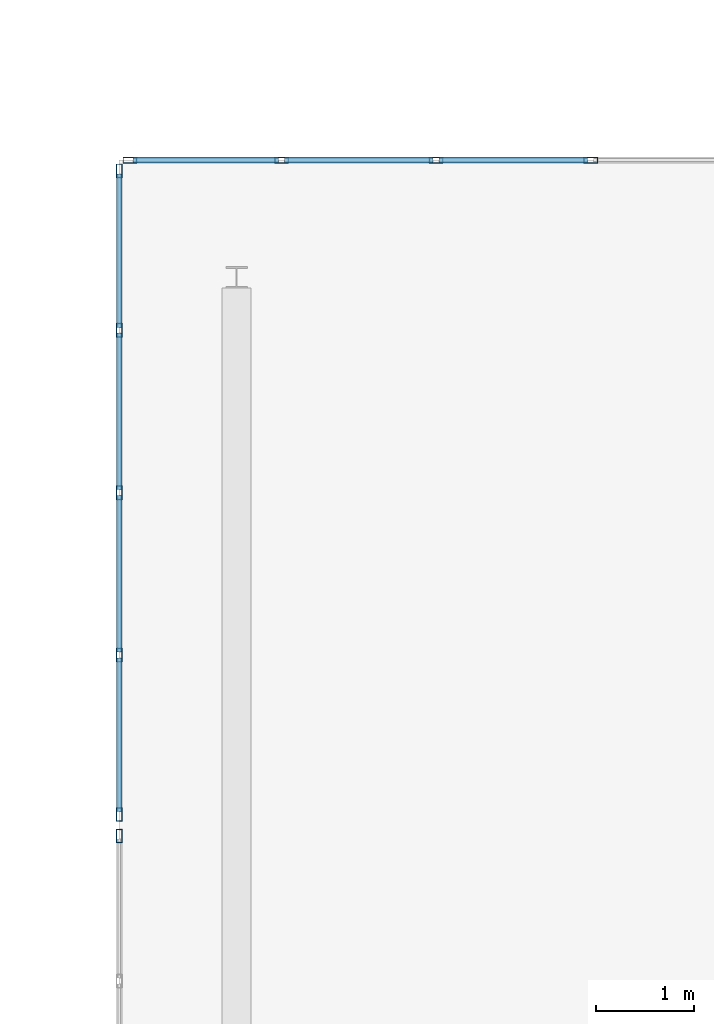
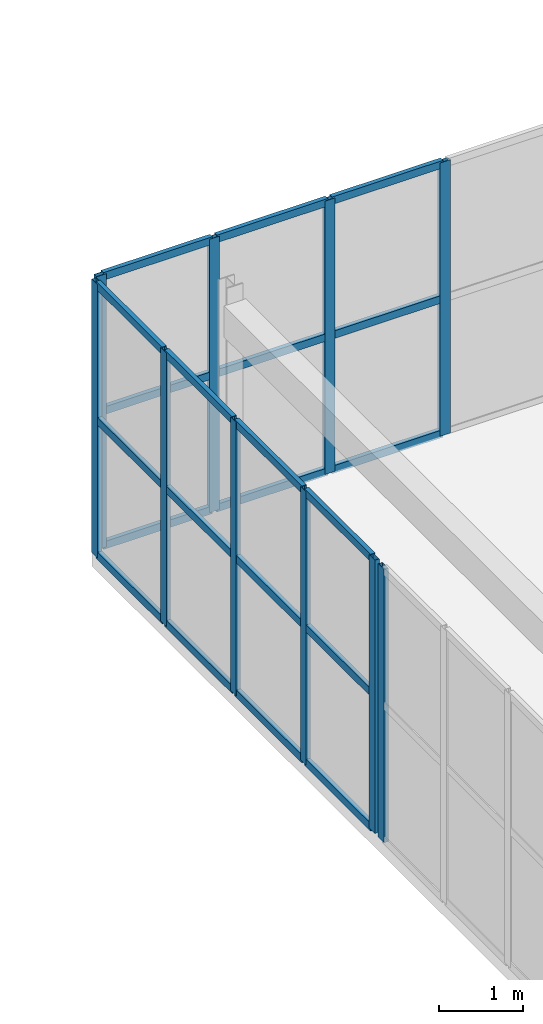
# One storey, part 36 of 81: 31 members, 3 elements without a shape of their own.
"""IFC4 building model written with IfcOpenShell, lengths in metres."""

from ifc_helpers import new_model, si_unit, direction, frame, origin, origin_2d, place, context, subcontext, project, spatial, hollow_rectangle, extrude, material, layer, layer_set, material_profile, profile_set, type_object, element, aggregate, save


model = new_model("IFC4")

# Units and contexts
model_context = context("Model", 3, precision=1e-05, world=origin(), true_north=direction((0.0, 1.0)))
body_context = subcontext(model_context, "Body", "Model", "MODEL_VIEW")
ifc_project = project(units=[si_unit("LENGTHUNIT", "METRE"), si_unit("AREAUNIT", "SQUARE_METRE"), si_unit("VOLUMEUNIT", "CUBIC_METRE"), si_unit("PLANEANGLEUNIT", "RADIAN"), si_unit("MASSUNIT", "GRAM", prefix="KILO")], contexts=[model_context])

# Site, building, storey
site_placement = place(None, origin())
site = spatial("IfcSite", under=ifc_project, at=site_placement, CompositionType="ELEMENT")
building_placement = place(site_placement, origin())
building = spatial("IfcBuilding", under=site, at=building_placement, Name="Trelvath General Hospital", CompositionType="ELEMENT")
storey_placement = place(building_placement, frame((0.0, 0.0, 24.60009765625)))
storey = spatial("IfcBuildingStorey", under=building, at=storey_placement, Name="L06", CompositionType="ELEMENT", Elevation=24.60009765625)

# Curtain wall, members
ifc_material_1 = material(Name="Anodised aluminium and low-E glass", Category="aluminium")
ifc_layer_1 = layer(ifc_material_1, 0.139892578125)
ifc_layer_set_1 = layer_set([ifc_layer_1], Name="Anodised aluminium and low-E glass")
curtain_wall_type_1 = type_object("IfcCurtainWallType", Name="CW CrystalCube 790 396 14", PredefinedType="USERDEFINED", material=ifc_layer_set_1)
curtain_wall_1_placement = place(storey_placement, origin())
curtain_wall_1 = element("IfcCurtainWall", 1, at=curtain_wall_1_placement, inside=storey, type_object=curtain_wall_type_1, Name="Crystal Cube Curtain Wall CUBE-W-T2 N1 L06", ObjectType="Unitised Glazed Curtain Wall", PredefinedType="USERDEFINED")
ifc_material_2 = material(Name="Anodised aluminium", Category="aluminium")
ifc_material_profile_1 = material_profile(ifc_material_2, hollow_rectangle(XDim=0.06005859375, YDim=0.139892578125, WallThickness=0.00390625, at=origin_2d()), Name="RHS60x140x4")
ifc_profile_set_1 = profile_set([ifc_material_profile_1], Name="Anodised aluminium")
member_type_1 = type_object("IfcMemberType", Name="CurtainMullion 60x140", PredefinedType="MULLION", material=ifc_profile_set_1)
member_1_placement = place(storey_placement, frame((59.7099609375, 74.0, 0.0), z_axis=(0.0, 0.0, 1.0), x_axis=(0.0, 1.0, 0.0)))
member_1 = element("IfcMember", 2, at=member_1_placement, type_object=member_type_1, Name="CW-326 mullion 1", PredefinedType="MULLION", context=body_context, shape_type="SweptSolid", body=[
    extrude(hollow_rectangle(XDim=0.06005859375, YDim=0.139892578125, WallThickness=0.00390625, at=origin_2d()), origin(), (0.0, 0.0, 1.0), 3.9599609375),
])
member_2_placement = place(storey_placement, frame((61.260009765625, 74.0, 0.0), z_axis=(0.0, 0.0, 1.0), x_axis=(0.0, 1.0, 0.0)))
member_2 = element("IfcMember", 3, at=member_2_placement, type_object=member_type_1, Name="CW-326 mullion 2", PredefinedType="MULLION", context=body_context, shape_type="SweptSolid", body=[
    extrude(hollow_rectangle(XDim=0.06005859375, YDim=0.139892578125, WallThickness=0.00390625, at=origin_2d()), origin(), (0.0, 0.0, 1.0), 3.9599609375),
])
member_3_placement = place(storey_placement, frame((62.840087890625, 74.0, 0.0), z_axis=(0.0, 0.0, 1.0), x_axis=(0.0, 1.0, 0.0)))
member_3 = element("IfcMember", 4, at=member_3_placement, type_object=member_type_1, Name="CW-326 mullion 3", PredefinedType="MULLION", context=body_context, shape_type="SweptSolid", body=[
    extrude(hollow_rectangle(XDim=0.06005859375, YDim=0.139892578125, WallThickness=0.00390625, at=origin_2d()), origin(), (0.0, 0.0, 1.0), 3.9599609375),
])
member_4_placement = place(storey_placement, frame((64.419921875, 74.0, 0.0), z_axis=(0.0, 0.0, 1.0), x_axis=(0.0, 1.0, 0.0)))
member_4 = element("IfcMember", 5, at=member_4_placement, type_object=member_type_1, Name="CW-326 mullion 4", PredefinedType="MULLION", context=body_context, shape_type="SweptSolid", body=[
    extrude(hollow_rectangle(XDim=0.06005859375, YDim=0.139892578125, WallThickness=0.00390625, at=origin_2d()), origin(), (0.0, 0.0, 1.0), 3.9599609375),
])

# Curtain wall, member
ifc_material_3 = material(Name="Anodised aluminium and low-E glass", Category="aluminium")
ifc_layer_2 = layer(ifc_material_3, 0.139892578125)
ifc_layer_set_2 = layer_set([ifc_layer_2], Name="Anodised aluminium and low-E glass")
curtain_wall_type_2 = type_object("IfcCurtainWallType", Name="CW CrystalCube 1664 396 14", PredefinedType="USERDEFINED", material=ifc_layer_set_2)
curtain_wall_2_placement = place(storey_placement, origin())
curtain_wall_2 = element("IfcCurtainWall", 6, at=curtain_wall_2_placement, inside=storey, type_object=curtain_wall_type_2, Name="Crystal Cube Curtain Wall CUBE-W-T2 W2 L06", ObjectType="Unitised Glazed Curtain Wall", PredefinedType="USERDEFINED")
member_5_placement = place(storey_placement, frame((59.60009765625, 67.090087890625, 0.0), z_axis=(0.0, 0.0, 1.0), x_axis=(-1.0, 0.0, 0.0)))
member_5 = element("IfcMember", 7, at=member_5_placement, type_object=member_type_1, Name="CW-329 mullion 12", PredefinedType="MULLION", context=body_context, shape_type="SweptSolid", body=[
    extrude(hollow_rectangle(XDim=0.06005859375, YDim=0.139892578125, WallThickness=0.00390625, at=origin_2d()), origin(), (0.0, 0.0, 1.0), 3.9599609375),
])
aggregate(curtain_wall_2, [member_5])

# Curtain wall, members
ifc_material_4 = material(Name="Anodised aluminium and low-E glass", Category="aluminium")
ifc_layer_3 = layer(ifc_material_4, 0.139892578125)
ifc_layer_set_3 = layer_set([ifc_layer_3], Name="Anodised aluminium and low-E glass")
curtain_wall_type_3 = type_object("IfcCurtainWallType", Name="CW CrystalCube 664 396 14", PredefinedType="USERDEFINED", material=ifc_layer_set_3)
curtain_wall_3_placement = place(storey_placement, origin())
curtain_wall_3 = element("IfcCurtainWall", 8, at=curtain_wall_3_placement, inside=storey, type_object=curtain_wall_type_3, Name="Crystal Cube Curtain Wall CUBE-W-T2 W3 L06", ObjectType="Unitised Glazed Curtain Wall", PredefinedType="USERDEFINED")
member_6_placement = place(storey_placement, frame((59.60009765625, 67.31005859375, 0.0), z_axis=(0.0, 0.0, 1.0), x_axis=(-1.0, 0.0, 0.0)))
member_6 = element("IfcMember", 9, at=member_6_placement, type_object=member_type_1, Name="CW-330 mullion 1", PredefinedType="MULLION", context=body_context, shape_type="SweptSolid", body=[
    extrude(hollow_rectangle(XDim=0.06005859375, YDim=0.139892578125, WallThickness=0.00390625, at=origin_2d()), origin(), (0.0, 0.0, 1.0), 3.9599609375),
])
member_7_placement = place(storey_placement, frame((59.60009765625, 68.93994140625, 0.0), z_axis=(0.0, 0.0, 1.0), x_axis=(-1.0, 0.0, 0.0)))
member_7 = element("IfcMember", 10, at=member_7_placement, type_object=member_type_1, Name="CW-330 mullion 2", PredefinedType="MULLION", context=body_context, shape_type="SweptSolid", body=[
    extrude(hollow_rectangle(XDim=0.06005859375, YDim=0.139892578125, WallThickness=0.00390625, at=origin_2d()), origin(), (0.0, 0.0, 1.0), 3.9599609375),
])
member_8_placement = place(storey_placement, frame((59.60009765625, 70.60009765625, 0.0), z_axis=(0.0, 0.0, 1.0), x_axis=(-1.0, 0.0, 0.0)))
member_8 = element("IfcMember", 11, at=member_8_placement, type_object=member_type_1, Name="CW-330 mullion 3", PredefinedType="MULLION", context=body_context, shape_type="SweptSolid", body=[
    extrude(hollow_rectangle(XDim=0.06005859375, YDim=0.139892578125, WallThickness=0.00390625, at=origin_2d()), origin(), (0.0, 0.0, 1.0), 3.9599609375),
])
member_9_placement = place(storey_placement, frame((59.60009765625, 72.260009765625, 0.0), z_axis=(0.0, 0.0, 1.0), x_axis=(-1.0, 0.0, 0.0)))
member_9 = element("IfcMember", 12, at=member_9_placement, type_object=member_type_1, Name="CW-330 mullion 4", PredefinedType="MULLION", context=body_context, shape_type="SweptSolid", body=[
    extrude(hollow_rectangle(XDim=0.06005859375, YDim=0.139892578125, WallThickness=0.00390625, at=origin_2d()), origin(), (0.0, 0.0, 1.0), 3.9599609375),
])
member_10_placement = place(storey_placement, frame((59.60009765625, 73.889892578125, 0.0), z_axis=(0.0, 0.0, 1.0), x_axis=(-1.0, 0.0, 0.0)))
member_10 = element("IfcMember", 13, at=member_10_placement, type_object=member_type_1, Name="CW-330 mullion 5", PredefinedType="MULLION", context=body_context, shape_type="SweptSolid", body=[
    extrude(hollow_rectangle(XDim=0.06005859375, YDim=0.139892578125, WallThickness=0.00390625, at=origin_2d()), origin(), (0.0, 0.0, 1.0), 3.9599609375),
])

# Member
ifc_material_5 = material(Name="Anodised aluminium", Category="aluminium")
ifc_material_profile_2 = material_profile(ifc_material_5, hollow_rectangle(XDim=0.06005859375, YDim=0.110107421875, WallThickness=0.00390625, at=origin_2d()), Name="RHS60x110x4")
ifc_profile_set_2 = profile_set([ifc_material_profile_2], Name="Anodised aluminium")
member_type_2 = type_object("IfcMemberType", Name="CurtainTransom 60x110", PredefinedType="USERDEFINED", material=ifc_profile_set_2)
member_11_placement = place(storey_placement, frame((59.739990234375, 74.0, 0.02978515625), z_axis=(1.0, 0.0, 0.0), x_axis=(0.0, 1.0, 0.0)))
member_11 = element("IfcMember", 14, at=member_11_placement, type_object=member_type_2, Name="CW-326 transom 1.1", ObjectType="TRANSOM", PredefinedType="USERDEFINED", context=body_context, shape_type="SweptSolid", body=[
    extrude(hollow_rectangle(XDim=0.06005859375, YDim=0.110107421875, WallThickness=0.00390625, at=origin_2d()), origin(), (0.0, 0.0, 1.0), 1.489990234375),
])

member_12_placement = place(storey_placement, frame((59.739990234375, 74.0, 1.97998046875), z_axis=(1.0, 0.0, 0.0), x_axis=(0.0, 1.0, 0.0)))
member_12 = element("IfcMember", 15, at=member_12_placement, type_object=member_type_2, Name="CW-326 transom 1.2", ObjectType="TRANSOM", PredefinedType="USERDEFINED", context=body_context, shape_type="SweptSolid", body=[
    extrude(hollow_rectangle(XDim=0.06005859375, YDim=0.110107421875, WallThickness=0.00390625, at=origin_2d()), origin(), (0.0, 0.0, 1.0), 1.489990234375),
])

member_13_placement = place(storey_placement, frame((59.739990234375, 74.0, 3.929931640625), z_axis=(1.0, 0.0, 0.0), x_axis=(0.0, 1.0, 0.0)))
member_13 = element("IfcMember", 16, at=member_13_placement, type_object=member_type_2, Name="CW-326 transom 1.3", ObjectType="TRANSOM", PredefinedType="USERDEFINED", context=body_context, shape_type="SweptSolid", body=[
    extrude(hollow_rectangle(XDim=0.06005859375, YDim=0.110107421875, WallThickness=0.00390625, at=origin_2d()), origin(), (0.0, 0.0, 1.0), 1.489990234375),
])

member_14_placement = place(storey_placement, frame((61.2900390625, 74.0, 0.02978515625), z_axis=(1.0, 0.0, 0.0), x_axis=(0.0, 1.0, 0.0)))
member_14 = element("IfcMember", 17, at=member_14_placement, type_object=member_type_2, Name="CW-326 transom 2.1", ObjectType="TRANSOM", PredefinedType="USERDEFINED", context=body_context, shape_type="SweptSolid", body=[
    extrude(hollow_rectangle(XDim=0.06005859375, YDim=0.110107421875, WallThickness=0.00390625, at=origin_2d()), origin(), (0.0, 0.0, 1.0), 1.52001953125),
])

member_15_placement = place(storey_placement, frame((61.2900390625, 74.0, 1.97998046875), z_axis=(1.0, 0.0, 0.0), x_axis=(0.0, 1.0, 0.0)))
member_15 = element("IfcMember", 18, at=member_15_placement, type_object=member_type_2, Name="CW-326 transom 2.2", ObjectType="TRANSOM", PredefinedType="USERDEFINED", context=body_context, shape_type="SweptSolid", body=[
    extrude(hollow_rectangle(XDim=0.06005859375, YDim=0.110107421875, WallThickness=0.00390625, at=origin_2d()), origin(), (0.0, 0.0, 1.0), 1.52001953125),
])

member_16_placement = place(storey_placement, frame((61.2900390625, 74.0, 3.929931640625), z_axis=(1.0, 0.0, 0.0), x_axis=(0.0, 1.0, 0.0)))
member_16 = element("IfcMember", 19, at=member_16_placement, type_object=member_type_2, Name="CW-326 transom 2.3", ObjectType="TRANSOM", PredefinedType="USERDEFINED", context=body_context, shape_type="SweptSolid", body=[
    extrude(hollow_rectangle(XDim=0.06005859375, YDim=0.110107421875, WallThickness=0.00390625, at=origin_2d()), origin(), (0.0, 0.0, 1.0), 1.52001953125),
])

member_17_placement = place(storey_placement, frame((62.8701171875, 74.0, 0.02978515625), z_axis=(1.0, 0.0, 0.0), x_axis=(0.0, 1.0, 0.0)))
member_17 = element("IfcMember", 20, at=member_17_placement, type_object=member_type_2, Name="CW-326 transom 3.1", ObjectType="TRANSOM", PredefinedType="USERDEFINED", context=body_context, shape_type="SweptSolid", body=[
    extrude(hollow_rectangle(XDim=0.06005859375, YDim=0.110107421875, WallThickness=0.00390625, at=origin_2d()), origin(), (0.0, 0.0, 1.0), 1.519775390625),
])

member_18_placement = place(storey_placement, frame((62.8701171875, 74.0, 1.97998046875), z_axis=(1.0, 0.0, 0.0), x_axis=(0.0, 1.0, 0.0)))
member_18 = element("IfcMember", 21, at=member_18_placement, type_object=member_type_2, Name="CW-326 transom 3.2", ObjectType="TRANSOM", PredefinedType="USERDEFINED", context=body_context, shape_type="SweptSolid", body=[
    extrude(hollow_rectangle(XDim=0.06005859375, YDim=0.110107421875, WallThickness=0.00390625, at=origin_2d()), origin(), (0.0, 0.0, 1.0), 1.519775390625),
])

member_19_placement = place(storey_placement, frame((62.8701171875, 74.0, 3.929931640625), z_axis=(1.0, 0.0, 0.0), x_axis=(0.0, 1.0, 0.0)))
member_19 = element("IfcMember", 22, at=member_19_placement, type_object=member_type_2, Name="CW-326 transom 3.3", ObjectType="TRANSOM", PredefinedType="USERDEFINED", context=body_context, shape_type="SweptSolid", body=[
    extrude(hollow_rectangle(XDim=0.06005859375, YDim=0.110107421875, WallThickness=0.00390625, at=origin_2d()), origin(), (0.0, 0.0, 1.0), 1.519775390625),
])

aggregate(curtain_wall_1, [member_1, member_2, member_3, member_4, member_11, member_12, member_13, member_14, member_15, member_16, member_17, member_18, member_19])

member_20_placement = place(storey_placement, frame((59.60009765625, 67.340087890625, 0.02978515625), z_axis=(0.0, 1.0, 0.0), x_axis=(-1.0, 0.0, 0.0)))
member_20 = element("IfcMember", 23, at=member_20_placement, type_object=member_type_2, Name="CW-330 transom 1.1", ObjectType="TRANSOM", PredefinedType="USERDEFINED", context=body_context, shape_type="SweptSolid", body=[
    extrude(hollow_rectangle(XDim=0.06005859375, YDim=0.110107421875, WallThickness=0.00390625, at=origin_2d()), origin(), (0.0, 0.0, 1.0), 1.56982421875),
])

member_21_placement = place(storey_placement, frame((59.60009765625, 67.340087890625, 1.97998046875), z_axis=(0.0, 1.0, 0.0), x_axis=(-1.0, 0.0, 0.0)))
member_21 = element("IfcMember", 24, at=member_21_placement, type_object=member_type_2, Name="CW-330 transom 1.2", ObjectType="TRANSOM", PredefinedType="USERDEFINED", context=body_context, shape_type="SweptSolid", body=[
    extrude(hollow_rectangle(XDim=0.06005859375, YDim=0.110107421875, WallThickness=0.00390625, at=origin_2d()), origin(), (0.0, 0.0, 1.0), 1.56982421875),
])

member_22_placement = place(storey_placement, frame((59.60009765625, 67.340087890625, 3.929931640625), z_axis=(0.0, 1.0, 0.0), x_axis=(-1.0, 0.0, 0.0)))
member_22 = element("IfcMember", 25, at=member_22_placement, type_object=member_type_2, Name="CW-330 transom 1.3", ObjectType="TRANSOM", PredefinedType="USERDEFINED", context=body_context, shape_type="SweptSolid", body=[
    extrude(hollow_rectangle(XDim=0.06005859375, YDim=0.110107421875, WallThickness=0.00390625, at=origin_2d()), origin(), (0.0, 0.0, 1.0), 1.56982421875),
])

member_23_placement = place(storey_placement, frame((59.60009765625, 68.969970703125, 0.02978515625), z_axis=(0.0, 1.0, 0.0), x_axis=(-1.0, 0.0, 0.0)))
member_23 = element("IfcMember", 26, at=member_23_placement, type_object=member_type_2, Name="CW-330 transom 2.1", ObjectType="TRANSOM", PredefinedType="USERDEFINED", context=body_context, shape_type="SweptSolid", body=[
    extrude(hollow_rectangle(XDim=0.06005859375, YDim=0.110107421875, WallThickness=0.00390625, at=origin_2d()), origin(), (0.0, 0.0, 1.0), 1.60009765625),
])

member_24_placement = place(storey_placement, frame((59.60009765625, 68.969970703125, 1.97998046875), z_axis=(0.0, 1.0, 0.0), x_axis=(-1.0, 0.0, 0.0)))
member_24 = element("IfcMember", 27, at=member_24_placement, type_object=member_type_2, Name="CW-330 transom 2.2", ObjectType="TRANSOM", PredefinedType="USERDEFINED", context=body_context, shape_type="SweptSolid", body=[
    extrude(hollow_rectangle(XDim=0.06005859375, YDim=0.110107421875, WallThickness=0.00390625, at=origin_2d()), origin(), (0.0, 0.0, 1.0), 1.60009765625),
])

member_25_placement = place(storey_placement, frame((59.60009765625, 68.969970703125, 3.929931640625), z_axis=(0.0, 1.0, 0.0), x_axis=(-1.0, 0.0, 0.0)))
member_25 = element("IfcMember", 28, at=member_25_placement, type_object=member_type_2, Name="CW-330 transom 2.3", ObjectType="TRANSOM", PredefinedType="USERDEFINED", context=body_context, shape_type="SweptSolid", body=[
    extrude(hollow_rectangle(XDim=0.06005859375, YDim=0.110107421875, WallThickness=0.00390625, at=origin_2d()), origin(), (0.0, 0.0, 1.0), 1.60009765625),
])

member_26_placement = place(storey_placement, frame((59.60009765625, 70.6298828125, 0.02978515625), z_axis=(0.0, 1.0, 0.0), x_axis=(-1.0, 0.0, 0.0)))
member_26 = element("IfcMember", 29, at=member_26_placement, type_object=member_type_2, Name="CW-330 transom 3.1", ObjectType="TRANSOM", PredefinedType="USERDEFINED", context=body_context, shape_type="SweptSolid", body=[
    extrude(hollow_rectangle(XDim=0.06005859375, YDim=0.110107421875, WallThickness=0.00390625, at=origin_2d()), origin(), (0.0, 0.0, 1.0), 1.60009765625),
])

member_27_placement = place(storey_placement, frame((59.60009765625, 70.6298828125, 1.97998046875), z_axis=(0.0, 1.0, 0.0), x_axis=(-1.0, 0.0, 0.0)))
member_27 = element("IfcMember", 30, at=member_27_placement, type_object=member_type_2, Name="CW-330 transom 3.2", ObjectType="TRANSOM", PredefinedType="USERDEFINED", context=body_context, shape_type="SweptSolid", body=[
    extrude(hollow_rectangle(XDim=0.06005859375, YDim=0.110107421875, WallThickness=0.00390625, at=origin_2d()), origin(), (0.0, 0.0, 1.0), 1.60009765625),
])

member_28_placement = place(storey_placement, frame((59.60009765625, 70.6298828125, 3.929931640625), z_axis=(0.0, 1.0, 0.0), x_axis=(-1.0, 0.0, 0.0)))
member_28 = element("IfcMember", 31, at=member_28_placement, type_object=member_type_2, Name="CW-330 transom 3.3", ObjectType="TRANSOM", PredefinedType="USERDEFINED", context=body_context, shape_type="SweptSolid", body=[
    extrude(hollow_rectangle(XDim=0.06005859375, YDim=0.110107421875, WallThickness=0.00390625, at=origin_2d()), origin(), (0.0, 0.0, 1.0), 1.60009765625),
])

member_29_placement = place(storey_placement, frame((59.60009765625, 72.2900390625, 0.02978515625), z_axis=(0.0, 1.0, 0.0), x_axis=(-1.0, 0.0, 0.0)))
member_29 = element("IfcMember", 32, at=member_29_placement, type_object=member_type_2, Name="CW-330 transom 4.1", ObjectType="TRANSOM", PredefinedType="USERDEFINED", context=body_context, shape_type="SweptSolid", body=[
    extrude(hollow_rectangle(XDim=0.06005859375, YDim=0.110107421875, WallThickness=0.00390625, at=origin_2d()), origin(), (0.0, 0.0, 1.0), 1.570068359375),
])

member_30_placement = place(storey_placement, frame((59.60009765625, 72.2900390625, 1.97998046875), z_axis=(0.0, 1.0, 0.0), x_axis=(-1.0, 0.0, 0.0)))
member_30 = element("IfcMember", 33, at=member_30_placement, type_object=member_type_2, Name="CW-330 transom 4.2", ObjectType="TRANSOM", PredefinedType="USERDEFINED", context=body_context, shape_type="SweptSolid", body=[
    extrude(hollow_rectangle(XDim=0.06005859375, YDim=0.110107421875, WallThickness=0.00390625, at=origin_2d()), origin(), (0.0, 0.0, 1.0), 1.570068359375),
])

member_31_placement = place(storey_placement, frame((59.60009765625, 72.2900390625, 3.929931640625), z_axis=(0.0, 1.0, 0.0), x_axis=(-1.0, 0.0, 0.0)))
member_31 = element("IfcMember", 34, at=member_31_placement, type_object=member_type_2, Name="CW-330 transom 4.3", ObjectType="TRANSOM", PredefinedType="USERDEFINED", context=body_context, shape_type="SweptSolid", body=[
    extrude(hollow_rectangle(XDim=0.06005859375, YDim=0.110107421875, WallThickness=0.00390625, at=origin_2d()), origin(), (0.0, 0.0, 1.0), 1.570068359375),
])

aggregate(curtain_wall_3, [member_6, member_7, member_8, member_9, member_10, member_20, member_21, member_22, member_23, member_24, member_25, member_26, member_27, member_28, member_29, member_30, member_31])

save(model, "model.ifc")
